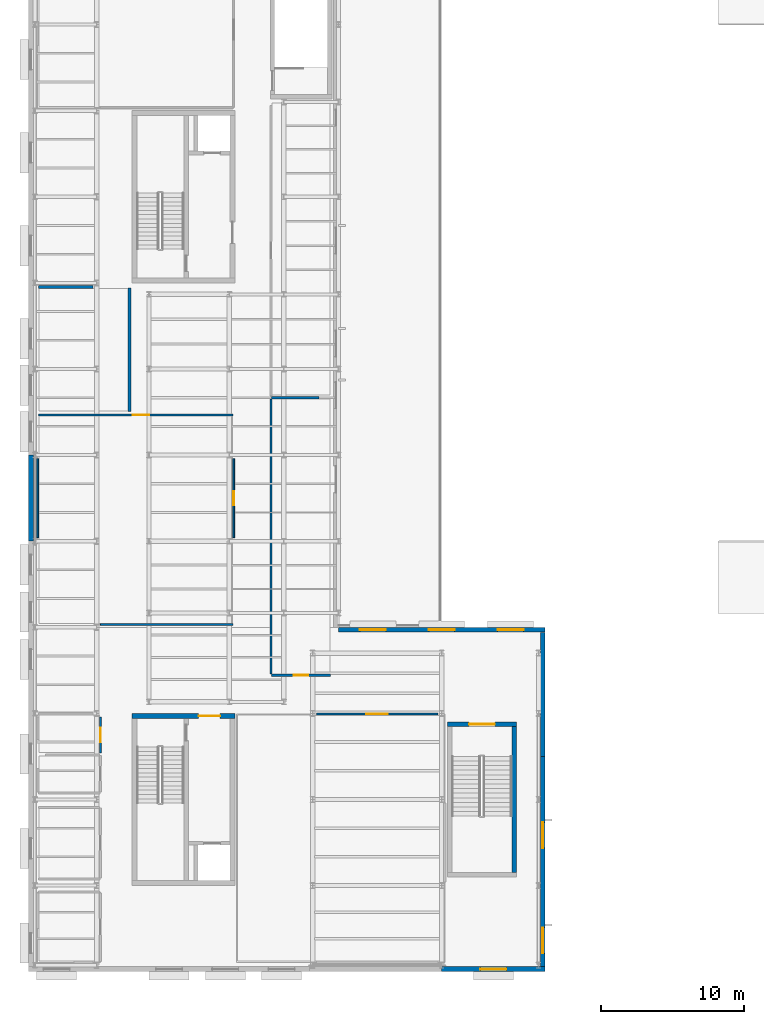
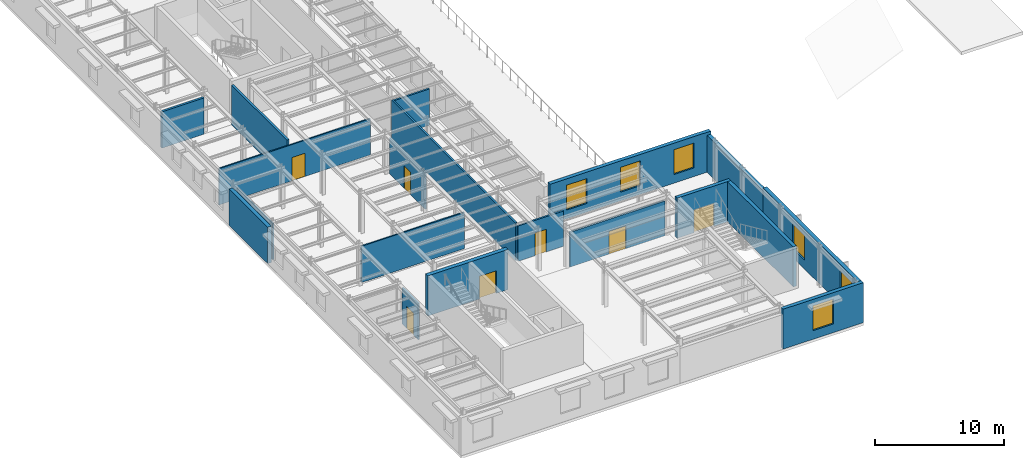
# One storey, part 5 of 13: 19 walls, 7 doors, 6 windows, 13 openings.
"""IFC4 building model written with IfcOpenShell, lengths in metres."""

from ifc_helpers import new_model, si_unit, direction, frame, frame_2d, origin, place, context, subcontext, project, spatial, rectangle, extrude, material, layer, layer_set, type_object, element, fill, save


model = new_model("IFC4")

# Units and contexts
model_context = context("Model", 3, precision=1e-05, world=origin(), true_north=direction((0.0, 1.0)))
body_context = subcontext(model_context, "Body", "Model", "MODEL_VIEW")
ifc_project = project(units=[si_unit("LENGTHUNIT", "METRE"), si_unit("AREAUNIT", "SQUARE_METRE"), si_unit("VOLUMEUNIT", "CUBIC_METRE"), si_unit("PLANEANGLEUNIT", "RADIAN"), si_unit("MASSUNIT", "GRAM", prefix="KILO")], contexts=[model_context])

# Site, building, storey
site_placement = place(None, origin())
site = spatial("IfcSite", under=ifc_project, at=site_placement, CompositionType="ELEMENT")
building_placement = place(site_placement, origin())
building = spatial("IfcBuilding", under=site, at=building_placement, Name="Kolvaren Corner Interchange", CompositionType="ELEMENT")
storey_placement = place(building_placement, frame((0.0, 0.0, 14.699951171875)))
storey = spatial("IfcBuildingStorey", under=building, at=storey_placement, Name="L04", CompositionType="ELEMENT", Elevation=14.699951171875)

# Wall, opening, door
ifc_material_1 = material(Name="Concrete C35/45", Category="concrete")
ifc_layer_1 = layer(ifc_material_1, 0.35009765625)
ifc_layer_set_1 = layer_set([ifc_layer_1], Name="Concrete C35/45")
wall_type_1 = type_object("IfcWallType", Name="WL-CORE-350", PredefinedType="SHEAR", material=ifc_layer_set_1)
wall_1_placement = place(storey_placement, frame((7.199951171875, 17.824951171875, 0.0), z_axis=(0.0, 0.0, 1.0), x_axis=(1.0, 0.0, 0.0)))
wall_1 = element("IfcWall", 1, at=wall_1_placement, inside=storey, type_object=wall_type_1, Name="Core C1 L04 North Shear Wall", PredefinedType="SHEAR", context=body_context, shape_type="SweptSolid", body=[
    extrude(rectangle(XDim=7.199951171875, YDim=0.35009765625, at=frame_2d((3.60009765625, 0.0))), origin(), (0.0, 0.0, 1.0), 3.800048828125),
])
opening_1_placement = place(wall_1_placement, frame((4.64990234375, 0.0, 0.0)))
opening_1 = element("IfcOpeningElement", 2, at=opening_1_placement, cuts=wall_1, Name="Opening D-F02", PredefinedType="OPENING", context=body_context, shape_type="SweptSolid", body=[
    extrude(rectangle(XDim=1.5, YDim=2.14990234375, at=frame_2d((0.75, 1.074951171875))), frame((0.0, 0.18505859375, 0.0), z_axis=(0.0, -1.0, 0.0), x_axis=(1.0, 0.0, 0.0)), (0.0, 0.0, 1.0), 0.3701171875),
])
ifc_material_2 = material(Name="Powder-coated Fire-rated Steel Sheet", Category="steel")
door_type_1 = type_object("IfcDoorType", Name="DT-FD-1500x2150", OperationType="NOTDEFINED", PredefinedType="DOOR", material=ifc_material_2)
door_1_placement = place(opening_1_placement, origin())
door_1 = element("IfcDoor", 3, at=door_1_placement, inside=storey, type_object=door_type_1, Name="Core C1 L04 Firefighting Lobby Corridor Exit Door", OperationType="DOUBLE_DOOR_SINGLE_SWING", OverallHeight=2.14990234375, OverallWidth=1.5, PredefinedType="DOOR", context=body_context, shape_type="SweptSolid", body=[
    extrude(rectangle(XDim=1.5, YDim=2.14990234375, at=frame_2d((0.75, 1.074951171875))), frame((0.0, 0.02490234375, 0.0), z_axis=(0.0, -1.0, 0.0), x_axis=(1.0, 0.0, 0.0)), (0.0, 0.0, 1.0), 0.050048828125),
])
fill(opening_1, door_1)

ifc_material_3 = material(Name="Concrete C35/45", Category="concrete")
ifc_layer_2 = layer(ifc_material_3, 0.31005859375)
ifc_layer_set_2 = layer_set([ifc_layer_2], Name="Concrete C35/45")
wall_type_2 = type_object("IfcWallType", Name="WL-STAIR-300", PredefinedType="SHEAR", material=ifc_layer_set_2)
wall_2_placement = place(storey_placement, frame((29.199951171875, 17.2451171875, 0.0), z_axis=(0.0, 0.0, 1.0), x_axis=(1.0, 0.0, 0.0)))
wall_2 = element("IfcWall", 4, at=wall_2_placement, inside=storey, type_object=wall_type_2, Name="Operations South Bar Protected Exit Stair L04 North Enclosure Wall", PredefinedType="SHEAR", context=body_context, shape_type="SweptSolid", body=[
    extrude(rectangle(XDim=4.800048828125, YDim=0.31005859375, at=frame_2d((2.39990234375, 0.0))), origin(), (0.0, 0.0, 1.0), 3.800048828125),
])
opening_2_placement = place(wall_2_placement, frame((1.5, 0.0, 0.0)))
opening_2 = element("IfcOpeningElement", 5, at=opening_2_placement, cuts=wall_2, Name="Opening D-F01", PredefinedType="OPENING", context=body_context, shape_type="SweptSolid", body=[
    extrude(rectangle(XDim=1.800048828125, YDim=2.14990234375, at=frame_2d((0.89990234375, 1.074951171875))), frame((0.0, 0.1650390625, 0.0), z_axis=(0.0, -1.0, 0.0), x_axis=(1.0, 0.0, 0.0)), (0.0, 0.0, 1.0), 0.330078125),
])
ifc_material_4 = material(Name="Powder-coated Fire-rated Steel Sheet", Category="steel")
door_type_2 = type_object("IfcDoorType", Name="DT-FD-1800x2150", OperationType="NOTDEFINED", PredefinedType="DOOR", material=ifc_material_4)
door_2_placement = place(opening_2_placement, origin())
door_2 = element("IfcDoor", 6, at=door_2_placement, inside=storey, type_object=door_type_2, Name="Operations South Bar Protected Exit Stair L04 Protected Exit Door", OperationType="DOUBLE_DOOR_SINGLE_SWING", OverallHeight=2.14990234375, OverallWidth=1.800048828125, PredefinedType="DOOR", context=body_context, shape_type="SweptSolid", body=[
    extrude(rectangle(XDim=1.800048828125, YDim=2.14990234375, at=frame_2d((0.89990234375, 1.074951171875))), frame((0.0, 0.02490234375, 0.0), z_axis=(0.0, -1.0, 0.0), x_axis=(1.0, 0.0, 0.0)), (0.0, 0.0, 1.0), 0.050048828125),
])
fill(opening_2, door_2)

# Wall
wall_3_placement = place(storey_placement, frame((33.844970703125, 6.909912109375, 0.0), z_axis=(0.0, 0.0, 1.0), x_axis=(0.0, 1.0, 0.0)))
element("IfcWall", 7, at=wall_3_placement, inside=storey, type_object=wall_type_2, Name="Operations South Bar Protected Exit Stair L04 East Enclosure Wall", PredefinedType="SHEAR", context=body_context, shape_type="SweptSolid", body=[
    extrude(rectangle(XDim=10.18017578125, YDim=0.31005859375, at=frame_2d((5.090087890625, 0.0))), origin(), (0.0, 0.0, 1.0), 3.800048828125),
])

# Wall, opening, window
ifc_material_5 = material(Name="Cream Architectural Terracotta Rainscreen Assembly", Category="masonry")
ifc_layer_3 = layer(ifc_material_5, 0.330078125)
ifc_layer_set_3 = layer_set([ifc_layer_3], Name="Cream Architectural Terracotta Rainscreen Assembly")
wall_type_3 = type_object("IfcWallType", Name="WT-EXT-TC320", PredefinedType="SOLIDWALL", material=ifc_layer_set_3)
wall_4_placement = place(storey_placement, frame((28.800048828125, 0.179931640625, 0.0), z_axis=(0.0, 0.0, 1.0), x_axis=(1.0, 0.0, 0.0)))
wall_4 = element("IfcWall", 8, at=wall_4_placement, inside=storey, type_object=wall_type_3, Name="Operations Boulevard South Facade Wall 0039", PredefinedType="SOLIDWALL", context=body_context, shape_type="SweptSolid", body=[
    extrude(rectangle(XDim=7.199951171875, YDim=0.330078125, at=frame_2d((3.60009765625, 0.0))), origin(), (0.0, 0.0, 1.0), 3.780029296875),
])
opening_3_placement = place(wall_4_placement, frame((2.699951171875, 0.0, 0.820068359375)))
opening_3 = element("IfcOpeningElement", 9, at=opening_3_placement, cuts=wall_4, Name="Opening W-03", PredefinedType="OPENING", context=body_context, shape_type="SweptSolid", body=[
    extrude(rectangle(XDim=1.800048828125, YDim=2.35009765625, at=frame_2d((0.89990234375, 1.175048828125))), frame((0.0, 0.175048828125, 0.0), z_axis=(0.0, -1.0, 0.0), x_axis=(1.0, 0.0, 0.0)), (0.0, 0.0, 1.0), 0.35009765625),
])
ifc_material_6 = material(Name="Thermally Broken Aluminium and Solar-Control Double Glazing", Category="aluminium")
window_type = type_object("IfcWindowType", Name="WT-CHI-1800x2400", PartitioningType="DOUBLE_PANEL_VERTICAL", PredefinedType="WINDOW", material=ifc_material_6)
window_1_placement = place(opening_3_placement, origin())
window_1 = element("IfcWindow", 10, at=window_1_placement, inside=storey, type_object=window_type, Name="L04 Operations Boulevard South Facade Window 0090", OverallHeight=2.35009765625, OverallWidth=1.800048828125, PartitioningType="SINGLE_PANEL", PredefinedType="WINDOW", context=body_context, shape_type="SweptSolid", body=[
    extrude(rectangle(XDim=1.800048828125, YDim=2.35009765625, at=frame_2d((0.89990234375, 1.175048828125))), frame((0.0, 0.030029296875, 0.0), z_axis=(0.0, -1.0, 0.0), x_axis=(1.0, 0.0, 0.0)), (0.0, 0.0, 1.0), 0.06005859375),
])
fill(opening_3, window_1)

# Wall, openings, windows
wall_5_placement = place(storey_placement, frame((35.830078125, 0.344970703125, 0.0), z_axis=(0.0, 0.0, 1.0), x_axis=(0.0, 1.0, 0.0)))
wall_5 = element("IfcWall", 11, at=wall_5_placement, inside=storey, type_object=wall_type_3, Name="Operations Forecourt East Facade Wall 0040", PredefinedType="SOLIDWALL", context=body_context, shape_type="SweptSolid", body=[
    extrude(rectangle(XDim=14.655029296875, YDim=0.330078125, at=frame_2d((7.32763671875, 0.0))), origin(), (0.0, 0.0, 1.0), 3.780029296875),
])
opening_4_placement = place(wall_5_placement, frame((0.931884765625, 0.0, 0.820068359375)))
opening_4 = element("IfcOpeningElement", 12, at=opening_4_placement, cuts=wall_5, Name="Opening W-03", PredefinedType="OPENING", context=body_context, shape_type="SweptSolid", body=[
    extrude(rectangle(XDim=1.800048828125, YDim=2.35009765625, at=frame_2d((0.89990234375, 1.175048828125))), frame((0.0, 0.175048828125, 0.0), z_axis=(0.0, -1.0, 0.0), x_axis=(1.0, 0.0, 0.0)), (0.0, 0.0, 1.0), 0.35009765625),
])
opening_5_placement = place(wall_5_placement, frame((8.259521484375, 0.0, 0.820068359375)))
opening_5 = element("IfcOpeningElement", 13, at=opening_5_placement, cuts=wall_5, Name="Opening W-03", PredefinedType="OPENING", context=body_context, shape_type="SweptSolid", body=[
    extrude(rectangle(XDim=1.800048828125, YDim=2.35009765625, at=frame_2d((0.89990234375, 1.175048828125))), frame((0.0, 0.175048828125, 0.0), z_axis=(0.0, -1.0, 0.0), x_axis=(1.0, 0.0, 0.0)), (0.0, 0.0, 1.0), 0.35009765625),
])
window_2_placement = place(opening_4_placement, origin())
window_2 = element("IfcWindow", 14, at=window_2_placement, inside=storey, type_object=window_type, Name="L04 Operations Forecourt East Facade Window 0091", OverallHeight=2.35009765625, OverallWidth=1.800048828125, PartitioningType="SINGLE_PANEL", PredefinedType="WINDOW", context=body_context, shape_type="SweptSolid", body=[
    extrude(rectangle(XDim=1.800048828125, YDim=2.35009765625, at=frame_2d((0.89990234375, 1.175048828125))), frame((0.0, 0.030029296875, 0.0), z_axis=(0.0, -1.0, 0.0), x_axis=(1.0, 0.0, 0.0)), (0.0, 0.0, 1.0), 0.06005859375),
])
fill(opening_4, window_2)
window_3_placement = place(opening_5_placement, origin())
window_3 = element("IfcWindow", 15, at=window_3_placement, inside=storey, type_object=window_type, Name="L04 Operations Forecourt East Facade Window 0092", OverallHeight=2.35009765625, OverallWidth=1.800048828125, PartitioningType="SINGLE_PANEL", PredefinedType="WINDOW", context=body_context, shape_type="SweptSolid", body=[
    extrude(rectangle(XDim=1.800048828125, YDim=2.35009765625, at=frame_2d((0.89990234375, 1.175048828125))), frame((0.0, 0.030029296875, 0.0), z_axis=(0.0, -1.0, 0.0), x_axis=(1.0, 0.0, 0.0)), (0.0, 0.0, 1.0), 0.06005859375),
])
fill(opening_5, window_3)

# Wall
wall_6_placement = place(storey_placement, frame((35.830078125, 15.0, 0.0), z_axis=(0.0, 0.0, 1.0), x_axis=(0.0, 1.0, 0.0)))
element("IfcWall", 16, at=wall_6_placement, inside=storey, type_object=wall_type_3, Name="Operations Forecourt East Facade Wall 0041", PredefinedType="SOLIDWALL", context=body_context, shape_type="SweptSolid", body=[
    extrude(rectangle(XDim=8.64990234375, YDim=0.330078125, at=frame_2d((4.324951171875, 0.0))), origin(), (0.0, 0.0, 1.0), 3.4951171875),
])

# Wall, openings, windows
wall_7_placement = place(storey_placement, frame((36.0, 23.830078125, 0.0), z_axis=(0.0, 0.0, 1.0), x_axis=(-1.0, 0.0, 0.0)))
wall_7 = element("IfcWall", 17, at=wall_7_placement, inside=storey, type_object=wall_type_3, Name="Operations Inner Courtyard South Return Wall 0042", PredefinedType="SOLIDWALL", context=body_context, shape_type="SweptSolid", body=[
    extrude(rectangle(XDim=14.39990234375, YDim=0.330078125, at=frame_2d((7.199951171875, 0.0))), origin(), (0.0, 0.0, 1.0), 3.780029296875),
])
opening_6_placement = place(wall_7_placement, frame((1.5, 0.0, 0.820068359375)))
opening_6 = element("IfcOpeningElement", 18, at=opening_6_placement, cuts=wall_7, Name="Opening W-03", PredefinedType="OPENING", context=body_context, shape_type="SweptSolid", body=[
    extrude(rectangle(XDim=1.800048828125, YDim=2.35009765625, at=frame_2d((0.89990234375, 1.175048828125))), frame((0.0, 0.175048828125, 0.0), z_axis=(0.0, -1.0, 0.0), x_axis=(1.0, 0.0, 0.0)), (0.0, 0.0, 1.0), 0.35009765625),
])
opening_7_placement = place(wall_7_placement, frame((6.300048828125, 0.0, 0.820068359375)))
opening_7 = element("IfcOpeningElement", 19, at=opening_7_placement, cuts=wall_7, Name="Opening W-03", PredefinedType="OPENING", context=body_context, shape_type="SweptSolid", body=[
    extrude(rectangle(XDim=1.800048828125, YDim=2.35009765625, at=frame_2d((0.89990234375, 1.175048828125))), frame((0.0, 0.175048828125, 0.0), z_axis=(0.0, -1.0, 0.0), x_axis=(1.0, 0.0, 0.0)), (0.0, 0.0, 1.0), 0.35009765625),
])
opening_8_placement = place(wall_7_placement, frame((11.10009765625, 0.0, 0.820068359375)))
opening_8 = element("IfcOpeningElement", 20, at=opening_8_placement, cuts=wall_7, Name="Opening W-03", PredefinedType="OPENING", context=body_context, shape_type="SweptSolid", body=[
    extrude(rectangle(XDim=1.800048828125, YDim=2.35009765625, at=frame_2d((0.89990234375, 1.175048828125))), frame((0.0, 0.175048828125, 0.0), z_axis=(0.0, -1.0, 0.0), x_axis=(1.0, 0.0, 0.0)), (0.0, 0.0, 1.0), 0.35009765625),
])
window_4_placement = place(opening_6_placement, origin())
window_4 = element("IfcWindow", 21, at=window_4_placement, inside=storey, type_object=window_type, Name="L04 Operations Inner Courtyard South Return Window 0093", OverallHeight=2.35009765625, OverallWidth=1.800048828125, PartitioningType="SINGLE_PANEL", PredefinedType="WINDOW", context=body_context, shape_type="SweptSolid", body=[
    extrude(rectangle(XDim=1.800048828125, YDim=2.35009765625, at=frame_2d((0.89990234375, 1.175048828125))), frame((0.0, 0.030029296875, 0.0), z_axis=(0.0, -1.0, 0.0), x_axis=(1.0, 0.0, 0.0)), (0.0, 0.0, 1.0), 0.06005859375),
])
fill(opening_6, window_4)
window_5_placement = place(opening_7_placement, origin())
window_5 = element("IfcWindow", 22, at=window_5_placement, inside=storey, type_object=window_type, Name="L04 Operations Inner Courtyard South Return Window 0094", OverallHeight=2.35009765625, OverallWidth=1.800048828125, PartitioningType="SINGLE_PANEL", PredefinedType="WINDOW", context=body_context, shape_type="SweptSolid", body=[
    extrude(rectangle(XDim=1.800048828125, YDim=2.35009765625, at=frame_2d((0.89990234375, 1.175048828125))), frame((0.0, 0.030029296875, 0.0), z_axis=(0.0, -1.0, 0.0), x_axis=(1.0, 0.0, 0.0)), (0.0, 0.0, 1.0), 0.06005859375),
])
fill(opening_7, window_5)
window_6_placement = place(opening_8_placement, origin())
window_6 = element("IfcWindow", 23, at=window_6_placement, inside=storey, type_object=window_type, Name="L04 Operations Inner Courtyard South Return Window 0095", OverallHeight=2.35009765625, OverallWidth=1.800048828125, PartitioningType="SINGLE_PANEL", PredefinedType="WINDOW", context=body_context, shape_type="SweptSolid", body=[
    extrude(rectangle(XDim=1.800048828125, YDim=2.35009765625, at=frame_2d((0.89990234375, 1.175048828125))), frame((0.0, 0.030029296875, 0.0), z_axis=(0.0, -1.0, 0.0), x_axis=(1.0, 0.0, 0.0)), (0.0, 0.0, 1.0), 0.06005859375),
])
fill(opening_8, window_6)

# Wall
wall_8_placement = place(storey_placement, frame((0.169921875, 36.0, 0.0), z_axis=(0.0, 0.0, 1.0), x_axis=(0.0, -1.0, 0.0)))
element("IfcWall", 24, at=wall_8_placement, inside=storey, type_object=wall_type_3, Name="Operations Trelmava Street West Facade Wall 0047", PredefinedType="SOLIDWALL", context=body_context, shape_type="SweptSolid", body=[
    extrude(rectangle(XDim=6.0, YDim=0.330078125, at=frame_2d((3.0, 0.0))), origin(), (0.0, 0.0, 1.0), 3.43505859375),
])

# Wall, opening, door
ifc_material_7 = material(Name="Acoustic Double-Stud Drywall Partition")
ifc_layer_4 = layer(ifc_material_7, 0.159912109375)
ifc_layer_set_4 = layer_set([ifc_layer_4], Name="Acoustic Double-Stud Drywall Partition")
wall_type_4 = type_object("IfcWallType", Name="WT-PART-AC160", PredefinedType="PARTITIONING", material=ifc_layer_set_4)
wall_9_placement = place(storey_placement, frame((28.5400390625, 17.949951171875, 0.0), z_axis=(0.0, 0.0, 1.0), x_axis=(-1.0, 0.0, 0.0)))
wall_9 = element("IfcWall", 25, at=wall_9_placement, inside=storey, type_object=wall_type_4, Name="L04 Metro and BRT Cab Simulator Hall Partition Wall 157", PredefinedType="PARTITIONING", context=body_context, shape_type="SweptSolid", body=[
    extrude(rectangle(XDim=8.47998046875, YDim=0.159912109375, at=frame_2d((4.239990234375, 0.0))), origin(), (0.0, 0.0, 1.0), 3.295166015625),
])
opening_9_placement = place(wall_9_placement, frame((3.489990234375, 0.0, 0.0)))
opening_9 = element("IfcOpeningElement", 26, at=opening_9_placement, cuts=wall_9, Name="Opening D-F02", PredefinedType="OPENING", context=body_context, shape_type="SweptSolid", body=[
    extrude(rectangle(XDim=1.5, YDim=2.14990234375, at=frame_2d((0.75, 1.074951171875))), frame((0.0, 0.08984375, 0.0), z_axis=(0.0, -1.0, 0.0), x_axis=(1.0, 0.0, 0.0)), (0.0, 0.0, 1.0), 0.179931640625),
])
door_3_placement = place(opening_9_placement, origin())
door_3 = element("IfcDoor", 27, at=door_3_placement, inside=storey, type_object=door_type_1, Name="L04 Metro and BRT Cab Simulator Hall Door", OperationType="DOUBLE_DOOR_SINGLE_SWING", OverallHeight=2.14990234375, OverallWidth=1.5, PredefinedType="DOOR", context=body_context, shape_type="SweptSolid", body=[
    extrude(rectangle(XDim=1.5, YDim=2.14990234375, at=frame_2d((0.75, 1.074951171875))), frame((0.0, 0.02490234375, 0.0), z_axis=(0.0, -1.0, 0.0), x_axis=(1.0, 0.0, 0.0)), (0.0, 0.0, 1.0), 0.050048828125),
])
fill(opening_9, door_3)

wall_10_placement = place(storey_placement, frame((16.949951171875, 20.64990234375, 0.0), z_axis=(0.0, 0.0, 1.0), x_axis=(1.0, 0.0, 0.0)))
wall_10 = element("IfcWall", 28, at=wall_10_placement, inside=storey, type_object=wall_type_4, Name="L04 Transit Safety Lecture Room Partition Wall 158", PredefinedType="PARTITIONING", context=body_context, shape_type="SweptSolid", body=[
    extrude(rectangle(XDim=4.10009765625, YDim=0.159912109375, at=frame_2d((2.050048828125, 0.0))), origin(), (0.0, 0.0, 1.0), 3.3349609375),
])
opening_10_placement = place(wall_10_placement, frame((1.550048828125, 0.0, 0.0)))
opening_10 = element("IfcOpeningElement", 29, at=opening_10_placement, cuts=wall_10, Name="Opening D-F04", PredefinedType="OPENING", context=body_context, shape_type="SweptSolid", body=[
    extrude(rectangle(XDim=1.0, YDim=2.14990234375, at=frame_2d((0.5, 1.074951171875))), frame((0.0, 0.08984375, 0.0), z_axis=(0.0, -1.0, 0.0), x_axis=(1.0, 0.0, 0.0)), (0.0, 0.0, 1.0), 0.179931640625),
])
ifc_material_8 = material(Name="Solid-Core Iroko Timber Fire Door", Category="wood")
door_type_3 = type_object("IfcDoorType", Name="DT-FD-1000x2150", OperationType="NOTDEFINED", PredefinedType="DOOR", material=ifc_material_8)
door_4_placement = place(opening_10_placement, origin())
door_4 = element("IfcDoor", 30, at=door_4_placement, inside=storey, type_object=door_type_3, Name="L04 Transit Safety Lecture Room Door", OperationType="SINGLE_SWING_LEFT", OverallHeight=2.14990234375, OverallWidth=1.0, PredefinedType="DOOR", context=body_context, shape_type="SweptSolid", body=[
    extrude(rectangle(XDim=1.0, YDim=2.14990234375, at=frame_2d((0.5, 1.074951171875))), frame((0.0, 0.02490234375, 0.0), z_axis=(0.0, -1.0, 0.0), x_axis=(1.0, 0.0, 0.0)), (0.0, 0.0, 1.0), 0.050048828125),
])
fill(opening_10, door_4)

# Walls
wall_11_placement = place(storey_placement, frame((20.22998046875, 40.0, 0.0), z_axis=(0.0, 0.0, 1.0), x_axis=(-1.0, 0.0, 0.0)))
element("IfcWall", 31, at=wall_11_placement, inside=storey, type_object=wall_type_4, Name="L04 Transit Safety Lecture Room Partition Wall 159", PredefinedType="PARTITIONING", context=body_context, shape_type="SweptSolid", body=[
    extrude(rectangle(XDim=3.280029296875, YDim=0.159912109375, at=frame_2d((1.64013671875, 0.0))), origin(), (0.0, 0.0, 1.0), 3.43505859375),
])
wall_12_placement = place(storey_placement, frame((16.89990234375, 39.91796875, 0.0), z_axis=(0.0, 0.0, 1.0), x_axis=(0.0, -1.0, 0.0)))
element("IfcWall", 32, at=wall_12_placement, inside=storey, type_object=wall_type_4, Name="L04 Transit Safety Lecture Room Partition Wall 160", PredefinedType="PARTITIONING", context=body_context, shape_type="SweptSolid", body=[
    extrude(rectangle(XDim=19.18603515625, YDim=0.159912109375, at=frame_2d((9.593017578125, 0.0))), origin(), (0.0, 0.0, 1.0), 3.574951171875),
])
ifc_material_9 = material(Name="Fire-Rated Gypsum Block Partition")
ifc_layer_5 = layer(ifc_material_9, 0.199951171875)
ifc_layer_set_5 = layer_set([ifc_layer_5], Name="Fire-Rated Gypsum Block Partition")
wall_type_5 = type_object("IfcWallType", Name="WT-PART-FR200", PredefinedType="PARTITIONING", material=ifc_layer_set_5)
wall_13_placement = place(storey_placement, frame((7.050048828125, 39.050048828125, 0.0), z_axis=(0.0, 0.0, 1.0), x_axis=(0.0, 1.0, 0.0)))
element("IfcWall", 33, at=wall_13_placement, inside=storey, type_object=wall_type_5, Name="L04 Operations West AHU Plant Room Partition Wall 166", PredefinedType="PARTITIONING", context=body_context, shape_type="SweptSolid", body=[
    extrude(rectangle(XDim=8.599853515625, YDim=0.199951171875, at=frame_2d((4.2998046875, 0.0))), origin(), (0.0, 0.0, 1.0), 3.760009765625),
])
wall_14_placement = place(storey_placement, frame((4.489990234375, 47.699951171875, 0.0), z_axis=(0.0, 0.0, 1.0), x_axis=(-1.0, 0.0, 0.0)))
element("IfcWall", 34, at=wall_14_placement, inside=storey, type_object=wall_type_5, Name="L04 Operations West AHU Plant Room Partition Wall 167", PredefinedType="PARTITIONING", context=body_context, shape_type="SweptSolid", body=[
    extrude(rectangle(XDim=3.7900390625, YDim=0.199951171875, at=frame_2d((1.89501953125, 0.0))), origin(), (0.0, 0.0, 1.0), 3.43505859375),
])
ifc_material_10 = material(Name="Standard Metal-Stud Drywall Partition")
ifc_layer_6 = layer(ifc_material_10, 0.1201171875)
ifc_layer_set_6 = layer_set([ifc_layer_6], Name="Standard Metal-Stud Drywall Partition")
wall_type_6 = type_object("IfcWallType", Name="WT-PART-ST125", PredefinedType="PARTITIONING", material=ifc_layer_set_6)
wall_15_placement = place(storey_placement, frame((5.010009765625, 24.199951171875, 0.0), z_axis=(0.0, 0.0, 1.0), x_axis=(1.0, 0.0, 0.0)))
element("IfcWall", 35, at=wall_15_placement, inside=storey, type_object=wall_type_6, Name="L04 Radio Tetra and Telecoms Rack Room Partition Wall 162", PredefinedType="PARTITIONING", context=body_context, shape_type="SweptSolid", body=[
    extrude(rectangle(XDim=9.239990234375, YDim=0.1201171875, at=frame_2d((4.6201171875, 0.0))), origin(), (0.0, 0.0, 1.0), 3.43505859375),
])

# Wall, opening, door
wall_16_placement = place(storey_placement, frame((14.300048828125, 30.239990234375, 0.0), z_axis=(0.0, 0.0, 1.0), x_axis=(0.0, 1.0, 0.0)))
wall_16 = element("IfcWall", 36, at=wall_16_placement, inside=storey, type_object=wall_type_6, Name="L04 Radio Tetra and Telecoms Rack Room Partition Wall 163", PredefinedType="PARTITIONING", context=body_context, shape_type="SweptSolid", body=[
    extrude(rectangle(XDim=5.52001953125, YDim=0.1201171875, at=frame_2d((2.760009765625, 0.0))), origin(), (0.0, 0.0, 1.0), 3.43505859375),
])
opening_11_placement = place(wall_16_placement, frame((2.27001953125, 0.0, 0.0)))
opening_11 = element("IfcOpeningElement", 37, at=opening_11_placement, cuts=wall_16, Name="Opening D-I03", PredefinedType="OPENING", context=body_context, shape_type="SweptSolid", body=[
    extrude(rectangle(XDim=0.97998046875, YDim=2.14990234375, at=frame_2d((0.489990234375, 1.074951171875))), frame((0.0, 0.070068359375, 0.0), z_axis=(0.0, -1.0, 0.0), x_axis=(1.0, 0.0, 0.0)), (0.0, 0.0, 1.0), 0.14013671875),
])
ifc_material_11 = material(Name="Solid-Core Iroko Timber Door", Category="wood")
door_type_4 = type_object("IfcDoorType", Name="DT-INT-980x2150", OperationType="NOTDEFINED", PredefinedType="DOOR", material=ifc_material_11)
door_5_placement = place(opening_11_placement, origin())
door_5 = element("IfcDoor", 38, at=door_5_placement, inside=storey, type_object=door_type_4, Name="L04 Radio Tetra and Telecoms Rack Room Door", OperationType="SINGLE_SWING_LEFT", OverallHeight=2.14990234375, OverallWidth=0.97998046875, PredefinedType="DOOR", context=body_context, shape_type="SweptSolid", body=[
    extrude(rectangle(XDim=0.97998046875, YDim=2.14990234375, at=frame_2d((0.489990234375, 1.074951171875))), frame((0.0, 0.02490234375, 0.0), z_axis=(0.0, -1.0, 0.0), x_axis=(1.0, 0.0, 0.0)), (0.0, 0.0, 1.0), 0.050048828125),
])
fill(opening_11, door_5)

wall_17_placement = place(storey_placement, frame((14.25, 38.800048828125, 0.0), z_axis=(0.0, 0.0, 1.0), x_axis=(-1.0, 0.0, 0.0)))
wall_17 = element("IfcWall", 39, at=wall_17_placement, inside=storey, type_object=wall_type_6, Name="L04 Radio Tetra and Telecoms Rack Room Partition Wall 164", PredefinedType="PARTITIONING", context=body_context, shape_type="SweptSolid", body=[
    extrude(rectangle(XDim=13.550048828125, YDim=0.1201171875, at=frame_2d((6.77490234375, 0.0))), origin(), (0.0, 0.0, 1.0), 3.43505859375),
])
opening_12_placement = place(wall_17_placement, frame((5.85009765625, 0.0, 0.0)))
opening_12 = element("IfcOpeningElement", 40, at=opening_12_placement, cuts=wall_17, Name="Opening D-I07", PredefinedType="OPENING", context=body_context, shape_type="SweptSolid", body=[
    extrude(rectangle(XDim=1.14990234375, YDim=2.199951171875, at=frame_2d((0.574951171875, 1.10009765625))), frame((0.0, 0.070068359375, 0.0), z_axis=(0.0, -1.0, 0.0), x_axis=(1.0, 0.0, 0.0)), (0.0, 0.0, 1.0), 0.14013671875),
])
ifc_material_12 = material(Name="Solid-Core Iroko Timber Acoustic Door", Category="wood")
door_type_5 = type_object("IfcDoorType", Name="DT-INT-1150x2200", OperationType="NOTDEFINED", PredefinedType="DOOR", material=ifc_material_12)
door_6_placement = place(opening_12_placement, origin())
door_6 = element("IfcDoor", 41, at=door_6_placement, inside=storey, type_object=door_type_5, Name="L04 Operations West AHU Plant Room Door", OperationType="SINGLE_SWING_LEFT", OverallHeight=2.199951171875, OverallWidth=1.14990234375, PredefinedType="DOOR", context=body_context, shape_type="SweptSolid", body=[
    extrude(rectangle(XDim=1.14990234375, YDim=2.199951171875, at=frame_2d((0.574951171875, 1.10009765625))), frame((0.0, 0.02490234375, 0.0), z_axis=(0.0, -1.0, 0.0), x_axis=(1.0, 0.0, 0.0)), (0.0, 0.0, 1.0), 0.050048828125),
])
fill(opening_12, door_6)

# Wall
wall_18_placement = place(storey_placement, frame((0.64990234375, 35.760009765625, 0.0), z_axis=(0.0, 0.0, 1.0), x_axis=(0.0, -1.0, 0.0)))
element("IfcWall", 42, at=wall_18_placement, inside=storey, type_object=wall_type_6, Name="L04 Radio Tetra and Telecoms Rack Room Partition Wall 165", PredefinedType="PARTITIONING", context=body_context, shape_type="SweptSolid", body=[
    extrude(rectangle(XDim=5.52001953125, YDim=0.1201171875, at=frame_2d((2.760009765625, 0.0))), origin(), (0.0, 0.0, 1.0), 3.43505859375),
])

# Wall, opening, door
ifc_material_13 = material(Name="Moisture-Resistant Ceramic Tile Partition")
ifc_layer_7 = layer(ifc_material_13, 0.139892578125)
ifc_layer_set_7 = layer_set([ifc_layer_7], Name="Moisture-Resistant Ceramic Tile Partition")
wall_type_7 = type_object("IfcWallType", Name="WT-PART-WC140", PredefinedType="PARTITIONING", material=ifc_layer_set_7)
wall_19_placement = place(storey_placement, frame((5.02001953125, 15.25, 0.0), z_axis=(0.0, 0.0, 1.0), x_axis=(0.0, 1.0, 0.0)))
wall_19 = element("IfcWall", 43, at=wall_19_placement, inside=storey, type_object=wall_type_7, Name="L04 Accessible WC Partition Wall 182", PredefinedType="PARTITIONING", context=body_context, shape_type="SweptSolid", body=[
    extrude(rectangle(XDim=2.489990234375, YDim=0.139892578125, at=frame_2d((1.2451171875, 0.0))), origin(), (0.0, 0.0, 1.0), 3.43505859375),
])
opening_13_placement = place(wall_19_placement, frame((0.72509765625, 0.0, 0.0)))
opening_13 = element("IfcOpeningElement", 44, at=opening_13_placement, cuts=wall_19, Name="Opening D-I05", PredefinedType="OPENING", context=body_context, shape_type="SweptSolid", body=[
    extrude(rectangle(XDim=1.0400390625, YDim=2.10009765625, at=frame_2d((0.52001953125, 1.050048828125))), frame((0.0, 0.079833984375, 0.0), z_axis=(0.0, -1.0, 0.0), x_axis=(1.0, 0.0, 0.0)), (0.0, 0.0, 1.0), 0.159912109375),
])
ifc_material_14 = material(Name="Accessible Outward-Opening Timber Door", Category="wood")
door_type_6 = type_object("IfcDoorType", Name="DT-AWC-1040x2100", OperationType="NOTDEFINED", PredefinedType="DOOR", material=ifc_material_14)
door_7_placement = place(opening_13_placement, origin())
door_7 = element("IfcDoor", 45, at=door_7_placement, inside=storey, type_object=door_type_6, Name="L04 Accessible WC Door", OperationType="SINGLE_SWING_RIGHT", OverallHeight=2.10009765625, OverallWidth=1.0400390625, PredefinedType="DOOR", context=body_context, shape_type="SweptSolid", body=[
    extrude(rectangle(XDim=1.0400390625, YDim=2.10009765625, at=frame_2d((0.52001953125, 1.050048828125))), frame((0.0, 0.02490234375, 0.0), z_axis=(0.0, -1.0, 0.0), x_axis=(1.0, 0.0, 0.0)), (0.0, 0.0, 1.0), 0.050048828125),
])
fill(opening_13, door_7)

save(model, "model.ifc")
